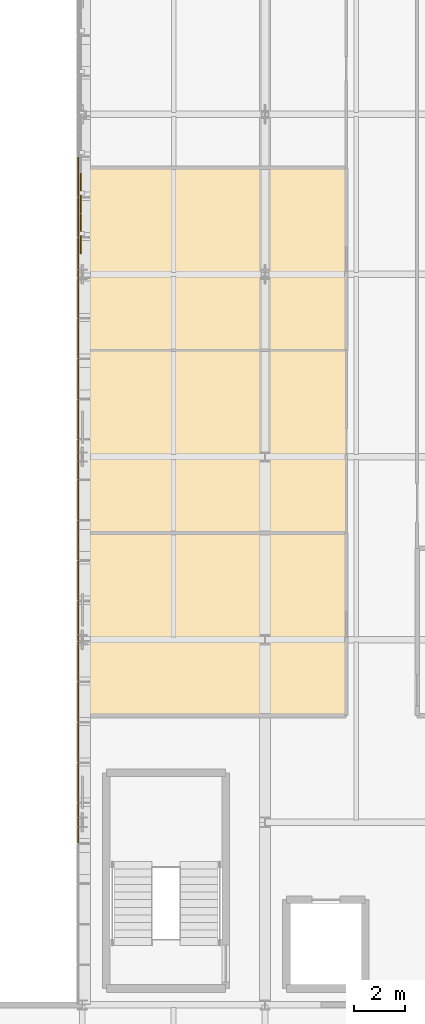
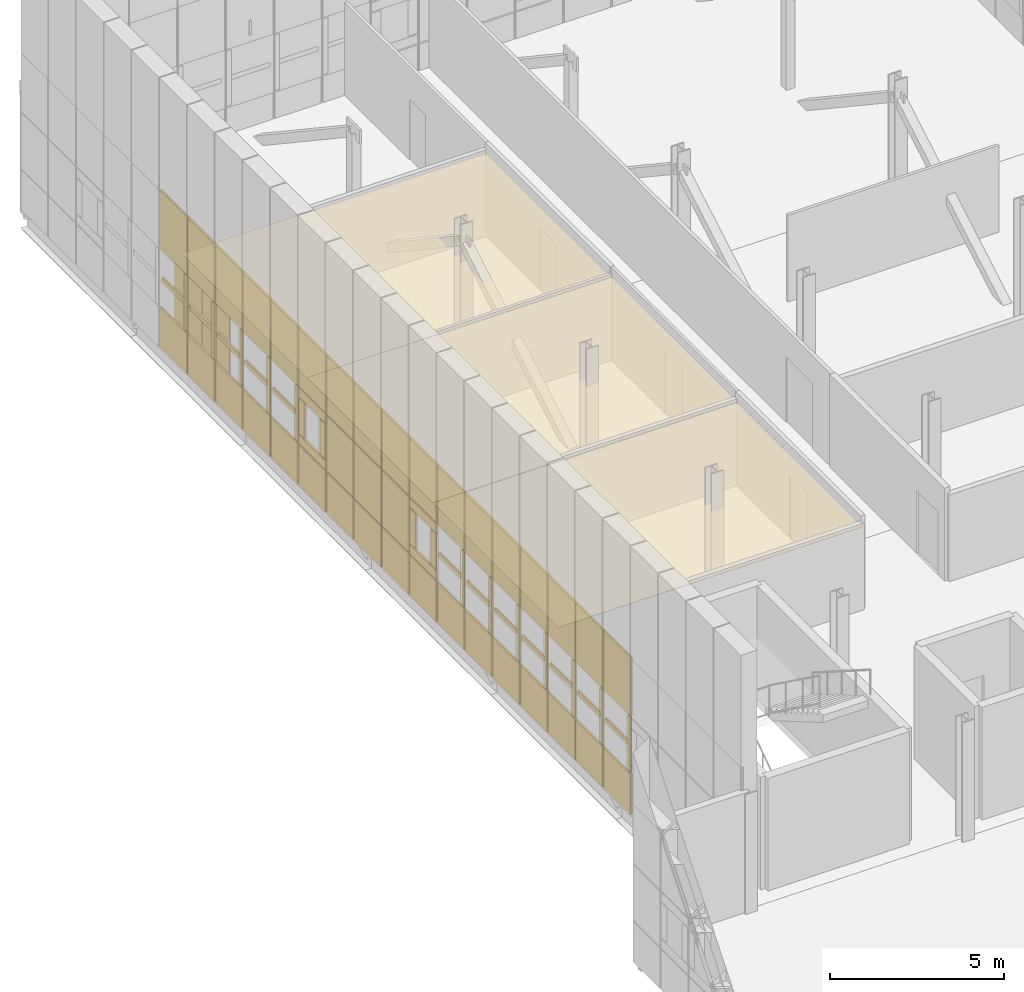
# One storey, part 135 of 144: 72 coverings, 2 shading devices.
"""IFC4 building model written with IfcOpenShell, lengths in metres."""

from ifc_helpers import new_model, si_unit, direction, frame, origin, origin_2d, place, context, subcontext, project, spatial, polyline, rectangle, outline, extrude, material, layer, layer_set, type_object, element, save


model = new_model("IFC4")

# Units and contexts
model_context = context("Model", 3, precision=1e-05, world=origin(), true_north=direction((0.0, 1.0)))
body_context = subcontext(model_context, "Body", "Model", "MODEL_VIEW")
ifc_project = project(units=[si_unit("LENGTHUNIT", "METRE"), si_unit("AREAUNIT", "SQUARE_METRE"), si_unit("VOLUMEUNIT", "CUBIC_METRE"), si_unit("PLANEANGLEUNIT", "RADIAN"), si_unit("MASSUNIT", "GRAM", prefix="KILO")], contexts=[model_context])

# Site, building, storey
site_placement = place(None, origin())
site = spatial("IfcSite", under=ifc_project, at=site_placement, CompositionType="ELEMENT")
building_placement = place(site_placement, origin())
building = spatial("IfcBuilding", under=site, at=building_placement, Name="Yarey Park Central Fire Station", CompositionType="ELEMENT")
storey_placement = place(building_placement, frame((0.0, 0.0, 10.199951171875)))
storey = spatial("IfcBuildingStorey", under=building, at=storey_placement, Name="L03", CompositionType="ELEMENT", Elevation=10.199951171875)

# Coverings
ifc_material_1 = material(Name="Perforated Powder-Coated Aluminium Cladding", Category="aluminium")
ifc_layer_1 = layer(ifc_material_1, 0.0419921875)
ifc_layer_set_1 = layer_set([ifc_layer_1], Name="Perforated Powder-Coated Aluminium Cladding")
covering_type_1 = type_object("IfcCoveringType", Name="ENV_COV_PERF_1", PredefinedType="CLADDING", material=ifc_layer_set_1)
covering_1_placement = place(storey_placement, frame((28.639892578125, 64.765380859375, -0.5048828125), z_axis=(0.0, 0.0, 1.0), x_axis=(0.0, 1.0, 0.0)))
element("IfcCovering", 1, at=covering_1_placement, inside=storey, type_object=covering_type_1, Name="PERF_L03_0627", PredefinedType="CLADDING", context=body_context, shape_type="SweptSolid", body=[
    extrude(rectangle(XDim=1.55224609375, YDim=0.0419921875, at=origin_2d()), origin(), (0.0, 0.0, 1.0), 1.43994140625),
])
covering_2_placement = place(storey_placement, frame((28.639892578125, 64.079345703125, 0.96484375), z_axis=(0.0, 0.0, 1.0), x_axis=(0.0, 1.0, 0.0)))
element("IfcCovering", 2, at=covering_2_placement, inside=storey, type_object=covering_type_1, Name="PERF_L03_0628", PredefinedType="CLADDING", context=body_context, shape_type="SweptSolid", body=[
    extrude(rectangle(XDim=0.159912109375, YDim=0.0419921875, at=origin_2d()), origin(), (0.0, 0.0, 1.0), 1.969970703125),
])
covering_3_placement = place(storey_placement, frame((28.639892578125, 64.765380859375, 1.8701171875), z_axis=(0.0, 0.0, 1.0), x_axis=(0.0, 1.0, 0.0)))
element("IfcCovering", 3, at=covering_3_placement, inside=storey, type_object=covering_type_1, Name="PERF_L03_0629", PredefinedType="CLADDING", context=body_context, shape_type="SweptSolid", body=[
    extrude(rectangle(XDim=1.352294921875, YDim=0.0419921875, at=origin_2d()), origin(), (0.0, 0.0, 1.0), 0.159912109375),
])
covering_4_placement = place(storey_placement, frame((28.639892578125, 64.765380859375, 2.96484375), z_axis=(0.0, 0.0, 1.0), x_axis=(0.0, 1.0, 0.0)))
element("IfcCovering", 4, at=covering_4_placement, inside=storey, type_object=covering_type_1, Name="PERF_L03_0630", PredefinedType="CLADDING", context=body_context, shape_type="SweptSolid", body=[
    extrude(rectangle(XDim=1.55224609375, YDim=0.0419921875, at=origin_2d()), origin(), (0.0, 0.0, 1.0), 2.070068359375),
])
covering_5_placement = place(storey_placement, frame((28.639892578125, 67.949951171875, -0.5048828125), z_axis=(0.0, 0.0, 1.0), x_axis=(0.0, 1.0, 0.0)))
element("IfcCovering", 5, at=covering_5_placement, inside=storey, type_object=covering_type_1, Name="PERF_L03_0641", PredefinedType="CLADDING", context=body_context, shape_type="SweptSolid", body=[
    extrude(rectangle(XDim=1.55224609375, YDim=0.0419921875, at=origin_2d()), origin(), (0.0, 0.0, 1.0), 1.43994140625),
])
covering_6_placement = place(storey_placement, frame((28.639892578125, 67.263916015625, 0.96484375), z_axis=(0.0, 0.0, 1.0), x_axis=(0.0, 1.0, 0.0)))
element("IfcCovering", 6, at=covering_6_placement, inside=storey, type_object=covering_type_1, Name="PERF_L03_0642", PredefinedType="CLADDING", context=body_context, shape_type="SweptSolid", body=[
    extrude(rectangle(XDim=0.159912109375, YDim=0.0419921875, at=origin_2d()), origin(), (0.0, 0.0, 1.0), 1.969970703125),
])
covering_7_placement = place(storey_placement, frame((28.639892578125, 67.949951171875, 1.8701171875), z_axis=(0.0, 0.0, 1.0), x_axis=(0.0, 1.0, 0.0)))
element("IfcCovering", 7, at=covering_7_placement, inside=storey, type_object=covering_type_1, Name="PERF_L03_0643", PredefinedType="CLADDING", context=body_context, shape_type="SweptSolid", body=[
    extrude(rectangle(XDim=1.352294921875, YDim=0.0419921875, at=origin_2d()), origin(), (0.0, 0.0, 1.0), 0.159912109375),
])
covering_8_placement = place(storey_placement, frame((28.639892578125, 67.949951171875, 2.96484375), z_axis=(0.0, 0.0, 1.0), x_axis=(0.0, 1.0, 0.0)))
element("IfcCovering", 8, at=covering_8_placement, inside=storey, type_object=covering_type_1, Name="PERF_L03_0644", PredefinedType="CLADDING", context=body_context, shape_type="SweptSolid", body=[
    extrude(rectangle(XDim=1.55224609375, YDim=0.0419921875, at=origin_2d()), origin(), (0.0, 0.0, 1.0), 2.070068359375),
])
covering_9_placement = place(storey_placement, frame((28.639892578125, 71.134521484375, -0.5048828125), z_axis=(0.0, 0.0, 1.0), x_axis=(0.0, 1.0, 0.0)))
element("IfcCovering", 9, at=covering_9_placement, inside=storey, type_object=covering_type_1, Name="PERF_L03_0655", PredefinedType="CLADDING", context=body_context, shape_type="SweptSolid", body=[
    extrude(rectangle(XDim=1.55224609375, YDim=0.0419921875, at=origin_2d()), origin(), (0.0, 0.0, 1.0), 1.43994140625),
])
covering_10_placement = place(storey_placement, frame((28.639892578125, 70.448486328125, 0.96484375), z_axis=(0.0, 0.0, 1.0), x_axis=(0.0, 1.0, 0.0)))
element("IfcCovering", 10, at=covering_10_placement, inside=storey, type_object=covering_type_1, Name="PERF_L03_0656", PredefinedType="CLADDING", context=body_context, shape_type="SweptSolid", body=[
    extrude(rectangle(XDim=0.159912109375, YDim=0.0419921875, at=origin_2d()), origin(), (0.0, 0.0, 1.0), 1.969970703125),
])
covering_11_placement = place(storey_placement, frame((28.639892578125, 71.134521484375, 1.8701171875), z_axis=(0.0, 0.0, 1.0), x_axis=(0.0, 1.0, 0.0)))
element("IfcCovering", 11, at=covering_11_placement, inside=storey, type_object=covering_type_1, Name="PERF_L03_0657", PredefinedType="CLADDING", context=body_context, shape_type="SweptSolid", body=[
    extrude(rectangle(XDim=1.352294921875, YDim=0.0419921875, at=origin_2d()), origin(), (0.0, 0.0, 1.0), 0.159912109375),
])
covering_12_placement = place(storey_placement, frame((28.639892578125, 71.134521484375, 2.96484375), z_axis=(0.0, 0.0, 1.0), x_axis=(0.0, 1.0, 0.0)))
element("IfcCovering", 12, at=covering_12_placement, inside=storey, type_object=covering_type_1, Name="PERF_L03_0658", PredefinedType="CLADDING", context=body_context, shape_type="SweptSolid", body=[
    extrude(rectangle(XDim=1.55224609375, YDim=0.0419921875, at=origin_2d()), origin(), (0.0, 0.0, 1.0), 2.070068359375),
])
covering_13_placement = place(storey_placement, frame((28.639892578125, 74.319091796875, -0.5048828125), z_axis=(0.0, 0.0, 1.0), x_axis=(0.0, 1.0, 0.0)))
element("IfcCovering", 13, at=covering_13_placement, inside=storey, type_object=covering_type_1, Name="PERF_L03_0669", PredefinedType="CLADDING", context=body_context, shape_type="SweptSolid", body=[
    extrude(rectangle(XDim=1.55224609375, YDim=0.0419921875, at=origin_2d()), origin(), (0.0, 0.0, 1.0), 1.43994140625),
])
covering_14_placement = place(storey_placement, frame((28.639892578125, 73.633056640625, 0.96484375), z_axis=(0.0, 0.0, 1.0), x_axis=(0.0, 1.0, 0.0)))
element("IfcCovering", 14, at=covering_14_placement, inside=storey, type_object=covering_type_1, Name="PERF_L03_0670", PredefinedType="CLADDING", context=body_context, shape_type="SweptSolid", body=[
    extrude(rectangle(XDim=0.159912109375, YDim=0.0419921875, at=origin_2d()), origin(), (0.0, 0.0, 1.0), 1.969970703125),
])
covering_15_placement = place(storey_placement, frame((28.639892578125, 74.319091796875, 1.8701171875), z_axis=(0.0, 0.0, 1.0), x_axis=(0.0, 1.0, 0.0)))
element("IfcCovering", 15, at=covering_15_placement, inside=storey, type_object=covering_type_1, Name="PERF_L03_0671", PredefinedType="CLADDING", context=body_context, shape_type="SweptSolid", body=[
    extrude(rectangle(XDim=1.352294921875, YDim=0.0419921875, at=origin_2d()), origin(), (0.0, 0.0, 1.0), 0.159912109375),
])
covering_16_placement = place(storey_placement, frame((28.639892578125, 74.319091796875, 2.96484375), z_axis=(0.0, 0.0, 1.0), x_axis=(0.0, 1.0, 0.0)))
element("IfcCovering", 16, at=covering_16_placement, inside=storey, type_object=covering_type_1, Name="PERF_L03_0672", PredefinedType="CLADDING", context=body_context, shape_type="SweptSolid", body=[
    extrude(rectangle(XDim=1.55224609375, YDim=0.0419921875, at=origin_2d()), origin(), (0.0, 0.0, 1.0), 2.070068359375),
])
covering_17_placement = place(storey_placement, frame((28.639892578125, 77.50390625, -0.5048828125), z_axis=(0.0, 0.0, 1.0), x_axis=(0.0, 1.0, 0.0)))
element("IfcCovering", 17, at=covering_17_placement, inside=storey, type_object=covering_type_1, Name="PERF_L03_0687", PredefinedType="CLADDING", context=body_context, shape_type="SweptSolid", body=[
    extrude(rectangle(XDim=1.55224609375, YDim=0.0419921875, at=origin_2d()), origin(), (0.0, 0.0, 1.0), 1.43994140625),
])
covering_18_placement = place(storey_placement, frame((28.639892578125, 77.50390625, 0.96484375), z_axis=(0.0, 0.0, 1.0), x_axis=(0.0, 1.0, 0.0)))
element("IfcCovering", 18, at=covering_18_placement, inside=storey, type_object=covering_type_1, Name="PERF_L03_0688", PredefinedType="CLADDING", context=body_context, shape_type="SweptSolid", body=[
    extrude(rectangle(XDim=1.55224609375, YDim=0.0419921875, at=origin_2d()), origin(), (0.0, 0.0, 1.0), 1.969970703125),
])
covering_19_placement = place(storey_placement, frame((28.639892578125, 77.50390625, 2.96484375), z_axis=(0.0, 0.0, 1.0), x_axis=(0.0, 1.0, 0.0)))
element("IfcCovering", 19, at=covering_19_placement, inside=storey, type_object=covering_type_1, Name="PERF_L03_0689", PredefinedType="CLADDING", context=body_context, shape_type="SweptSolid", body=[
    extrude(rectangle(XDim=1.55224609375, YDim=0.0419921875, at=origin_2d()), origin(), (0.0, 0.0, 1.0), 2.070068359375),
])
covering_20_placement = place(storey_placement, frame((28.639892578125, 80.6884765625, -0.5048828125), z_axis=(0.0, 0.0, 1.0), x_axis=(0.0, 1.0, 0.0)))
element("IfcCovering", 20, at=covering_20_placement, inside=storey, type_object=covering_type_1, Name="PERF_L03_0697", PredefinedType="CLADDING", context=body_context, shape_type="SweptSolid", body=[
    extrude(rectangle(XDim=1.55224609375, YDim=0.0419921875, at=origin_2d()), origin(), (0.0, 0.0, 1.0), 1.43994140625),
])
covering_21_placement = place(storey_placement, frame((28.639892578125, 80.6884765625, 0.96484375), z_axis=(0.0, 0.0, 1.0), x_axis=(0.0, 1.0, 0.0)))
element("IfcCovering", 21, at=covering_21_placement, inside=storey, type_object=covering_type_1, Name="PERF_L03_0698", PredefinedType="CLADDING", context=body_context, shape_type="SweptSolid", body=[
    extrude(rectangle(XDim=1.55224609375, YDim=0.0419921875, at=origin_2d()), origin(), (0.0, 0.0, 1.0), 1.969970703125),
])
covering_22_placement = place(storey_placement, frame((28.639892578125, 80.6884765625, 2.96484375), z_axis=(0.0, 0.0, 1.0), x_axis=(0.0, 1.0, 0.0)))
element("IfcCovering", 22, at=covering_22_placement, inside=storey, type_object=covering_type_1, Name="PERF_L03_0699", PredefinedType="CLADDING", context=body_context, shape_type="SweptSolid", body=[
    extrude(rectangle(XDim=1.55224609375, YDim=0.0419921875, at=origin_2d()), origin(), (0.0, 0.0, 1.0), 2.070068359375),
])
covering_23_placement = place(storey_placement, frame((28.639892578125, 83.873046875, -0.5048828125), z_axis=(0.0, 0.0, 1.0), x_axis=(0.0, 1.0, 0.0)))
element("IfcCovering", 23, at=covering_23_placement, inside=storey, type_object=covering_type_1, Name="PERF_L03_0713", PredefinedType="CLADDING", context=body_context, shape_type="SweptSolid", body=[
    extrude(rectangle(XDim=1.55224609375, YDim=0.0419921875, at=origin_2d()), origin(), (0.0, 0.0, 1.0), 1.43994140625),
])
covering_24_placement = place(storey_placement, frame((28.639892578125, 83.18701171875, 0.96484375), z_axis=(0.0, 0.0, 1.0), x_axis=(0.0, 1.0, 0.0)))
element("IfcCovering", 24, at=covering_24_placement, inside=storey, type_object=covering_type_1, Name="PERF_L03_0714", PredefinedType="CLADDING", context=body_context, shape_type="SweptSolid", body=[
    extrude(rectangle(XDim=0.159912109375, YDim=0.0419921875, at=origin_2d()), origin(), (0.0, 0.0, 1.0), 1.969970703125),
])
covering_25_placement = place(storey_placement, frame((28.639892578125, 83.873046875, 1.8701171875), z_axis=(0.0, 0.0, 1.0), x_axis=(0.0, 1.0, 0.0)))
element("IfcCovering", 25, at=covering_25_placement, inside=storey, type_object=covering_type_1, Name="PERF_L03_0715", PredefinedType="CLADDING", context=body_context, shape_type="SweptSolid", body=[
    extrude(rectangle(XDim=1.352294921875, YDim=0.0419921875, at=origin_2d()), origin(), (0.0, 0.0, 1.0), 0.159912109375),
])
covering_26_placement = place(storey_placement, frame((28.639892578125, 83.873046875, 2.96484375), z_axis=(0.0, 0.0, 1.0), x_axis=(0.0, 1.0, 0.0)))
element("IfcCovering", 26, at=covering_26_placement, inside=storey, type_object=covering_type_1, Name="PERF_L03_0716", PredefinedType="CLADDING", context=body_context, shape_type="SweptSolid", body=[
    extrude(rectangle(XDim=1.55224609375, YDim=0.0419921875, at=origin_2d()), origin(), (0.0, 0.0, 1.0), 2.070068359375),
])
covering_27_placement = place(storey_placement, frame((28.639892578125, 87.0576171875, -0.5048828125), z_axis=(0.0, 0.0, 1.0), x_axis=(0.0, 1.0, 0.0)))
element("IfcCovering", 27, at=covering_27_placement, inside=storey, type_object=covering_type_1, Name="PERF_L03_0727", PredefinedType="CLADDING", context=body_context, shape_type="SweptSolid", body=[
    extrude(rectangle(XDim=1.55224609375, YDim=0.0419921875, at=origin_2d()), origin(), (0.0, 0.0, 1.0), 1.43994140625),
])
covering_28_placement = place(storey_placement, frame((28.639892578125, 86.37158203125, 0.96484375), z_axis=(0.0, 0.0, 1.0), x_axis=(0.0, 1.0, 0.0)))
element("IfcCovering", 28, at=covering_28_placement, inside=storey, type_object=covering_type_1, Name="PERF_L03_0728", PredefinedType="CLADDING", context=body_context, shape_type="SweptSolid", body=[
    extrude(rectangle(XDim=0.159912109375, YDim=0.0419921875, at=origin_2d()), origin(), (0.0, 0.0, 1.0), 1.969970703125),
])
covering_29_placement = place(storey_placement, frame((28.639892578125, 87.0576171875, 1.8701171875), z_axis=(0.0, 0.0, 1.0), x_axis=(0.0, 1.0, 0.0)))
element("IfcCovering", 29, at=covering_29_placement, inside=storey, type_object=covering_type_1, Name="PERF_L03_0729", PredefinedType="CLADDING", context=body_context, shape_type="SweptSolid", body=[
    extrude(rectangle(XDim=1.352294921875, YDim=0.0419921875, at=origin_2d()), origin(), (0.0, 0.0, 1.0), 0.159912109375),
])
covering_30_placement = place(storey_placement, frame((28.639892578125, 87.0576171875, 2.96484375), z_axis=(0.0, 0.0, 1.0), x_axis=(0.0, 1.0, 0.0)))
element("IfcCovering", 30, at=covering_30_placement, inside=storey, type_object=covering_type_1, Name="PERF_L03_0730", PredefinedType="CLADDING", context=body_context, shape_type="SweptSolid", body=[
    extrude(rectangle(XDim=1.55224609375, YDim=0.0419921875, at=origin_2d()), origin(), (0.0, 0.0, 1.0), 2.070068359375),
])
covering_31_placement = place(storey_placement, frame((28.639892578125, 90.2421875, -0.5048828125), z_axis=(0.0, 0.0, 1.0), x_axis=(0.0, 1.0, 0.0)))
element("IfcCovering", 31, at=covering_31_placement, inside=storey, type_object=covering_type_1, Name="PERF_L03_0741", PredefinedType="CLADDING", context=body_context, shape_type="SweptSolid", body=[
    extrude(rectangle(XDim=1.55224609375, YDim=0.0419921875, at=origin_2d()), origin(), (0.0, 0.0, 1.0), 1.43994140625),
])
covering_32_placement = place(storey_placement, frame((28.639892578125, 89.55615234375, 0.96484375), z_axis=(0.0, 0.0, 1.0), x_axis=(0.0, 1.0, 0.0)))
element("IfcCovering", 32, at=covering_32_placement, inside=storey, type_object=covering_type_1, Name="PERF_L03_0742", PredefinedType="CLADDING", context=body_context, shape_type="SweptSolid", body=[
    extrude(rectangle(XDim=0.159912109375, YDim=0.0419921875, at=origin_2d()), origin(), (0.0, 0.0, 1.0), 1.969970703125),
])
covering_33_placement = place(storey_placement, frame((28.639892578125, 90.2421875, 1.8701171875), z_axis=(0.0, 0.0, 1.0), x_axis=(0.0, 1.0, 0.0)))
element("IfcCovering", 33, at=covering_33_placement, inside=storey, type_object=covering_type_1, Name="PERF_L03_0743", PredefinedType="CLADDING", context=body_context, shape_type="SweptSolid", body=[
    extrude(rectangle(XDim=1.352294921875, YDim=0.0419921875, at=origin_2d()), origin(), (0.0, 0.0, 1.0), 0.159912109375),
])
covering_34_placement = place(storey_placement, frame((28.639892578125, 90.2421875, 2.96484375), z_axis=(0.0, 0.0, 1.0), x_axis=(0.0, 1.0, 0.0)))
element("IfcCovering", 34, at=covering_34_placement, inside=storey, type_object=covering_type_1, Name="PERF_L03_0744", PredefinedType="CLADDING", context=body_context, shape_type="SweptSolid", body=[
    extrude(rectangle(XDim=1.55224609375, YDim=0.0419921875, at=origin_2d()), origin(), (0.0, 0.0, 1.0), 2.070068359375),
])
ifc_layer_2 = layer(ifc_material_1, 0.053955078125)
ifc_layer_set_2 = layer_set([ifc_layer_2], Name="Perforated Powder-Coated Aluminium Cladding")
covering_type_2 = type_object("IfcCoveringType", Name="ENV_COV_PERF_2", PredefinedType="CLADDING", material=ifc_layer_set_2)
covering_35_placement = place(storey_placement, frame((28.639892578125, 66.357666015625, -0.5048828125), z_axis=(0.0, 0.0, 1.0), x_axis=(0.0, 1.0, 0.0)))
element("IfcCovering", 35, at=covering_35_placement, inside=storey, type_object=covering_type_2, Name="PERF_L03_0634", PredefinedType="CLADDING", context=body_context, shape_type="SweptSolid", body=[
    extrude(rectangle(XDim=1.55224609375, YDim=0.053955078125, at=origin_2d()), origin(), (0.0, 0.0, 1.0), 1.43994140625),
])
covering_36_placement = place(storey_placement, frame((28.639892578125, 65.67138671875, 0.96484375), z_axis=(0.0, 0.0, 1.0), x_axis=(0.0, 1.0, 0.0)))
element("IfcCovering", 36, at=covering_36_placement, inside=storey, type_object=covering_type_2, Name="PERF_L03_0635", PredefinedType="CLADDING", context=body_context, shape_type="SweptSolid", body=[
    extrude(rectangle(XDim=0.159912109375, YDim=0.053955078125, at=origin_2d()), origin(), (0.0, 0.0, 1.0), 1.969970703125),
])
covering_37_placement = place(storey_placement, frame((28.639892578125, 66.357666015625, 1.8701171875), z_axis=(0.0, 0.0, 1.0), x_axis=(0.0, 1.0, 0.0)))
element("IfcCovering", 37, at=covering_37_placement, inside=storey, type_object=covering_type_2, Name="PERF_L03_0636", PredefinedType="CLADDING", context=body_context, shape_type="SweptSolid", body=[
    extrude(rectangle(XDim=1.352294921875, YDim=0.053955078125, at=origin_2d()), origin(), (0.0, 0.0, 1.0), 0.159912109375),
])
covering_38_placement = place(storey_placement, frame((28.639892578125, 66.357666015625, 2.96484375), z_axis=(0.0, 0.0, 1.0), x_axis=(0.0, 1.0, 0.0)))
element("IfcCovering", 38, at=covering_38_placement, inside=storey, type_object=covering_type_2, Name="PERF_L03_0637", PredefinedType="CLADDING", context=body_context, shape_type="SweptSolid", body=[
    extrude(rectangle(XDim=1.55224609375, YDim=0.053955078125, at=origin_2d()), origin(), (0.0, 0.0, 1.0), 2.070068359375),
])
covering_39_placement = place(storey_placement, frame((28.639892578125, 69.542236328125, -0.5048828125), z_axis=(0.0, 0.0, 1.0), x_axis=(0.0, 1.0, 0.0)))
element("IfcCovering", 39, at=covering_39_placement, inside=storey, type_object=covering_type_2, Name="PERF_L03_0648", PredefinedType="CLADDING", context=body_context, shape_type="SweptSolid", body=[
    extrude(rectangle(XDim=1.55224609375, YDim=0.053955078125, at=origin_2d()), origin(), (0.0, 0.0, 1.0), 1.43994140625),
])
covering_40_placement = place(storey_placement, frame((28.639892578125, 68.856201171875, 0.96484375), z_axis=(0.0, 0.0, 1.0), x_axis=(0.0, 1.0, 0.0)))
element("IfcCovering", 40, at=covering_40_placement, inside=storey, type_object=covering_type_2, Name="PERF_L03_0649", PredefinedType="CLADDING", context=body_context, shape_type="SweptSolid", body=[
    extrude(rectangle(XDim=0.159912109375, YDim=0.053955078125, at=origin_2d()), origin(), (0.0, 0.0, 1.0), 1.969970703125),
])
covering_41_placement = place(storey_placement, frame((28.639892578125, 69.542236328125, 1.8701171875), z_axis=(0.0, 0.0, 1.0), x_axis=(0.0, 1.0, 0.0)))
element("IfcCovering", 41, at=covering_41_placement, inside=storey, type_object=covering_type_2, Name="PERF_L03_0650", PredefinedType="CLADDING", context=body_context, shape_type="SweptSolid", body=[
    extrude(rectangle(XDim=1.352294921875, YDim=0.053955078125, at=origin_2d()), origin(), (0.0, 0.0, 1.0), 0.159912109375),
])
covering_42_placement = place(storey_placement, frame((28.639892578125, 69.542236328125, 2.96484375), z_axis=(0.0, 0.0, 1.0), x_axis=(0.0, 1.0, 0.0)))
element("IfcCovering", 42, at=covering_42_placement, inside=storey, type_object=covering_type_2, Name="PERF_L03_0651", PredefinedType="CLADDING", context=body_context, shape_type="SweptSolid", body=[
    extrude(rectangle(XDim=1.55224609375, YDim=0.053955078125, at=origin_2d()), origin(), (0.0, 0.0, 1.0), 2.070068359375),
])
covering_43_placement = place(storey_placement, frame((28.639892578125, 72.726806640625, -0.5048828125), z_axis=(0.0, 0.0, 1.0), x_axis=(0.0, 1.0, 0.0)))
element("IfcCovering", 43, at=covering_43_placement, inside=storey, type_object=covering_type_2, Name="PERF_L03_0662", PredefinedType="CLADDING", context=body_context, shape_type="SweptSolid", body=[
    extrude(rectangle(XDim=1.55224609375, YDim=0.053955078125, at=origin_2d()), origin(), (0.0, 0.0, 1.0), 1.43994140625),
])
covering_44_placement = place(storey_placement, frame((28.639892578125, 72.040771484375, 0.96484375), z_axis=(0.0, 0.0, 1.0), x_axis=(0.0, 1.0, 0.0)))
element("IfcCovering", 44, at=covering_44_placement, inside=storey, type_object=covering_type_2, Name="PERF_L03_0663", PredefinedType="CLADDING", context=body_context, shape_type="SweptSolid", body=[
    extrude(rectangle(XDim=0.159912109375, YDim=0.053955078125, at=origin_2d()), origin(), (0.0, 0.0, 1.0), 1.969970703125),
])
covering_45_placement = place(storey_placement, frame((28.639892578125, 72.726806640625, 1.8701171875), z_axis=(0.0, 0.0, 1.0), x_axis=(0.0, 1.0, 0.0)))
element("IfcCovering", 45, at=covering_45_placement, inside=storey, type_object=covering_type_2, Name="PERF_L03_0664", PredefinedType="CLADDING", context=body_context, shape_type="SweptSolid", body=[
    extrude(rectangle(XDim=1.352294921875, YDim=0.053955078125, at=origin_2d()), origin(), (0.0, 0.0, 1.0), 0.159912109375),
])
covering_46_placement = place(storey_placement, frame((28.639892578125, 72.726806640625, 2.96484375), z_axis=(0.0, 0.0, 1.0), x_axis=(0.0, 1.0, 0.0)))
element("IfcCovering", 46, at=covering_46_placement, inside=storey, type_object=covering_type_2, Name="PERF_L03_0665", PredefinedType="CLADDING", context=body_context, shape_type="SweptSolid", body=[
    extrude(rectangle(XDim=1.55224609375, YDim=0.053955078125, at=origin_2d()), origin(), (0.0, 0.0, 1.0), 2.070068359375),
])
covering_47_placement = place(storey_placement, frame((28.639892578125, 75.91162109375, -0.5048828125), z_axis=(0.0, 0.0, 1.0), x_axis=(0.0, 1.0, 0.0)))
element("IfcCovering", 47, at=covering_47_placement, inside=storey, type_object=covering_type_2, Name="PERF_L03_0676", PredefinedType="CLADDING", context=body_context, shape_type="SweptSolid", body=[
    extrude(rectangle(XDim=1.55224609375, YDim=0.053955078125, at=origin_2d()), origin(), (0.0, 0.0, 1.0), 1.43994140625),
])
for number, where, z_axis, x_axis, name in (
    (48, (28.639892578125, 75.91162109375, 0.9599609375), (0.0, 0.0, 1.0), (0.0, 1.0, 0.0), "PERF_L03_0677"),
    (49, (28.639892578125, 75.91162109375, 2.60009765625), (0.0, 0.0, 1.0), (0.0, 1.0, 0.0), "PERF_L03_0678"),
):
    element("IfcCovering", number, at=place(storey_placement, frame(where, z_axis=z_axis, x_axis=x_axis)), inside=storey, type_object=covering_type_2, Name=name, PredefinedType="CLADDING", context=body_context, shape_type="SweptSolid", body=[
        extrude(rectangle(XDim=1.55224609375, YDim=0.053955078125, at=origin_2d()), origin(), (0.0, 0.0, 1.0), 0.340087890625),
    ])
for number, where, z_axis, x_axis, name in (
    (50, (28.639892578125, 75.3154296875, 1.324951171875), (0.0, 0.0, 1.0), (0.0, 1.0, 0.0), "PERF_L03_0679"),
    (51, (28.639892578125, 76.507568359375, 1.324951171875), (0.0, 0.0, 1.0), (0.0, 1.0, 0.0), "PERF_L03_0680"),
):
    element("IfcCovering", number, at=place(storey_placement, frame(where, z_axis=z_axis, x_axis=x_axis)), inside=storey, type_object=covering_type_2, Name=name, PredefinedType="CLADDING", context=body_context, shape_type="SweptSolid", body=[
        extrude(rectangle(XDim=0.340087890625, YDim=0.053955078125, at=origin_2d()), origin(), (0.0, 0.0, 1.0), 1.25),
    ])
covering_48_placement = place(storey_placement, frame((28.639892578125, 75.91162109375, 2.96484375), z_axis=(0.0, 0.0, 1.0), x_axis=(0.0, 1.0, 0.0)))
element("IfcCovering", 52, at=covering_48_placement, inside=storey, type_object=covering_type_2, Name="PERF_L03_0681", PredefinedType="CLADDING", context=body_context, shape_type="SweptSolid", body=[
    extrude(rectangle(XDim=1.55224609375, YDim=0.053955078125, at=origin_2d()), origin(), (0.0, 0.0, 1.0), 2.070068359375),
])
covering_49_placement = place(storey_placement, frame((28.639892578125, 79.09619140625, -0.5048828125), z_axis=(0.0, 0.0, 1.0), x_axis=(0.0, 1.0, 0.0)))
element("IfcCovering", 53, at=covering_49_placement, inside=storey, type_object=covering_type_2, Name="PERF_L03_0692", PredefinedType="CLADDING", context=body_context, shape_type="SweptSolid", body=[
    extrude(rectangle(XDim=1.55224609375, YDim=0.053955078125, at=origin_2d()), origin(), (0.0, 0.0, 1.0), 1.43994140625),
])
covering_50_placement = place(storey_placement, frame((28.639892578125, 79.09619140625, 0.96484375), z_axis=(0.0, 0.0, 1.0), x_axis=(0.0, 1.0, 0.0)))
element("IfcCovering", 54, at=covering_50_placement, inside=storey, type_object=covering_type_2, Name="PERF_L03_0693", PredefinedType="CLADDING", context=body_context, shape_type="SweptSolid", body=[
    extrude(rectangle(XDim=1.55224609375, YDim=0.053955078125, at=origin_2d()), origin(), (0.0, 0.0, 1.0), 1.969970703125),
])
covering_51_placement = place(storey_placement, frame((28.639892578125, 79.09619140625, 2.96484375), z_axis=(0.0, 0.0, 1.0), x_axis=(0.0, 1.0, 0.0)))
element("IfcCovering", 55, at=covering_51_placement, inside=storey, type_object=covering_type_2, Name="PERF_L03_0694", PredefinedType="CLADDING", context=body_context, shape_type="SweptSolid", body=[
    extrude(rectangle(XDim=1.55224609375, YDim=0.053955078125, at=origin_2d()), origin(), (0.0, 0.0, 1.0), 2.070068359375),
])
covering_52_placement = place(storey_placement, frame((28.639892578125, 82.28076171875, -0.5048828125), z_axis=(0.0, 0.0, 1.0), x_axis=(0.0, 1.0, 0.0)))
element("IfcCovering", 56, at=covering_52_placement, inside=storey, type_object=covering_type_2, Name="PERF_L03_0702", PredefinedType="CLADDING", context=body_context, shape_type="SweptSolid", body=[
    extrude(rectangle(XDim=1.55224609375, YDim=0.053955078125, at=origin_2d()), origin(), (0.0, 0.0, 1.0), 1.43994140625),
])
for number, where, z_axis, x_axis, name in (
    (57, (28.639892578125, 82.28076171875, 0.9599609375), (0.0, 0.0, 1.0), (0.0, 1.0, 0.0), "PERF_L03_0703"),
    (58, (28.639892578125, 82.28076171875, 2.60009765625), (0.0, 0.0, 1.0), (0.0, 1.0, 0.0), "PERF_L03_0704"),
):
    element("IfcCovering", number, at=place(storey_placement, frame(where, z_axis=z_axis, x_axis=x_axis)), inside=storey, type_object=covering_type_2, Name=name, PredefinedType="CLADDING", context=body_context, shape_type="SweptSolid", body=[
        extrude(rectangle(XDim=1.55224609375, YDim=0.053955078125, at=origin_2d()), origin(), (0.0, 0.0, 1.0), 0.340087890625),
    ])
for number, where, z_axis, x_axis, name in (
    (59, (28.639892578125, 81.684814453125, 1.324951171875), (0.0, 0.0, 1.0), (0.0, 1.0, 0.0), "PERF_L03_0705"),
    (60, (28.639892578125, 82.876953125, 1.324951171875), (0.0, 0.0, 1.0), (0.0, 1.0, 0.0), "PERF_L03_0706"),
):
    element("IfcCovering", number, at=place(storey_placement, frame(where, z_axis=z_axis, x_axis=x_axis)), inside=storey, type_object=covering_type_2, Name=name, PredefinedType="CLADDING", context=body_context, shape_type="SweptSolid", body=[
        extrude(rectangle(XDim=0.340087890625, YDim=0.053955078125, at=origin_2d()), origin(), (0.0, 0.0, 1.0), 1.25),
    ])
covering_53_placement = place(storey_placement, frame((28.639892578125, 82.28076171875, 2.96484375), z_axis=(0.0, 0.0, 1.0), x_axis=(0.0, 1.0, 0.0)))
element("IfcCovering", 61, at=covering_53_placement, inside=storey, type_object=covering_type_2, Name="PERF_L03_0707", PredefinedType="CLADDING", context=body_context, shape_type="SweptSolid", body=[
    extrude(rectangle(XDim=1.55224609375, YDim=0.053955078125, at=origin_2d()), origin(), (0.0, 0.0, 1.0), 2.070068359375),
])
covering_54_placement = place(storey_placement, frame((28.639892578125, 85.46533203125, -0.5048828125), z_axis=(0.0, 0.0, 1.0), x_axis=(0.0, 1.0, 0.0)))
element("IfcCovering", 62, at=covering_54_placement, inside=storey, type_object=covering_type_2, Name="PERF_L03_0720", PredefinedType="CLADDING", context=body_context, shape_type="SweptSolid", body=[
    extrude(rectangle(XDim=1.55224609375, YDim=0.053955078125, at=origin_2d()), origin(), (0.0, 0.0, 1.0), 1.43994140625),
])
covering_55_placement = place(storey_placement, frame((28.639892578125, 84.779296875, 0.96484375), z_axis=(0.0, 0.0, 1.0), x_axis=(0.0, 1.0, 0.0)))
element("IfcCovering", 63, at=covering_55_placement, inside=storey, type_object=covering_type_2, Name="PERF_L03_0721", PredefinedType="CLADDING", context=body_context, shape_type="SweptSolid", body=[
    extrude(rectangle(XDim=0.159912109375, YDim=0.053955078125, at=origin_2d()), origin(), (0.0, 0.0, 1.0), 1.969970703125),
])
covering_56_placement = place(storey_placement, frame((28.639892578125, 85.46533203125, 1.8701171875), z_axis=(0.0, 0.0, 1.0), x_axis=(0.0, 1.0, 0.0)))
element("IfcCovering", 64, at=covering_56_placement, inside=storey, type_object=covering_type_2, Name="PERF_L03_0722", PredefinedType="CLADDING", context=body_context, shape_type="SweptSolid", body=[
    extrude(rectangle(XDim=1.352294921875, YDim=0.053955078125, at=origin_2d()), origin(), (0.0, 0.0, 1.0), 0.159912109375),
])
covering_57_placement = place(storey_placement, frame((28.639892578125, 85.46533203125, 2.96484375), z_axis=(0.0, 0.0, 1.0), x_axis=(0.0, 1.0, 0.0)))
element("IfcCovering", 65, at=covering_57_placement, inside=storey, type_object=covering_type_2, Name="PERF_L03_0723", PredefinedType="CLADDING", context=body_context, shape_type="SweptSolid", body=[
    extrude(rectangle(XDim=1.55224609375, YDim=0.053955078125, at=origin_2d()), origin(), (0.0, 0.0, 1.0), 2.070068359375),
])
covering_58_placement = place(storey_placement, frame((28.639892578125, 88.64990234375, -0.5048828125), z_axis=(0.0, 0.0, 1.0), x_axis=(0.0, 1.0, 0.0)))
element("IfcCovering", 66, at=covering_58_placement, inside=storey, type_object=covering_type_2, Name="PERF_L03_0734", PredefinedType="CLADDING", context=body_context, shape_type="SweptSolid", body=[
    extrude(rectangle(XDim=1.55224609375, YDim=0.053955078125, at=origin_2d()), origin(), (0.0, 0.0, 1.0), 1.43994140625),
])
covering_59_placement = place(storey_placement, frame((28.639892578125, 87.9638671875, 0.96484375), z_axis=(0.0, 0.0, 1.0), x_axis=(0.0, 1.0, 0.0)))
element("IfcCovering", 67, at=covering_59_placement, inside=storey, type_object=covering_type_2, Name="PERF_L03_0735", PredefinedType="CLADDING", context=body_context, shape_type="SweptSolid", body=[
    extrude(rectangle(XDim=0.159912109375, YDim=0.053955078125, at=origin_2d()), origin(), (0.0, 0.0, 1.0), 1.969970703125),
])
covering_60_placement = place(storey_placement, frame((28.639892578125, 88.64990234375, 1.8701171875), z_axis=(0.0, 0.0, 1.0), x_axis=(0.0, 1.0, 0.0)))
element("IfcCovering", 68, at=covering_60_placement, inside=storey, type_object=covering_type_2, Name="PERF_L03_0736", PredefinedType="CLADDING", context=body_context, shape_type="SweptSolid", body=[
    extrude(rectangle(XDim=1.352294921875, YDim=0.053955078125, at=origin_2d()), origin(), (0.0, 0.0, 1.0), 0.159912109375),
])
covering_61_placement = place(storey_placement, frame((28.639892578125, 88.64990234375, 2.96484375), z_axis=(0.0, 0.0, 1.0), x_axis=(0.0, 1.0, 0.0)))
element("IfcCovering", 69, at=covering_61_placement, inside=storey, type_object=covering_type_2, Name="PERF_L03_0737", PredefinedType="CLADDING", context=body_context, shape_type="SweptSolid", body=[
    extrude(rectangle(XDim=1.55224609375, YDim=0.053955078125, at=origin_2d()), origin(), (0.0, 0.0, 1.0), 2.070068359375),
])

# Shading devices
ifc_material_2 = material(Name="Perforated Powder-Coated Aluminium Screen", Category="aluminium")
ifc_layer_3 = layer(ifc_material_2, 0.0400390625)
ifc_layer_set_3 = layer_set([ifc_layer_3], Name="Perforated Powder-Coated Aluminium Screen")
shading_device_type = type_object("IfcShadingDeviceType", Name="ENV_SHD_SCR_1", PredefinedType="USERDEFINED", material=ifc_layer_set_3)
for number, where, z_axis, x_axis, name in (
    (70, (28.739990234375, 88.0, 0.0), (0.0, 0.0, 1.0), (0.0, 1.0, 0.0), "SCR_L03_SIDE_017"),
    (71, (28.739990234375, 89.60009765625, 0.0), (0.0, 0.0, 1.0), (0.0, 1.0, 0.0), "SCR_L03_SIDE_019"),
):
    element("IfcShadingDevice", number, at=place(storey_placement, frame(where, z_axis=z_axis, x_axis=x_axis)), inside=storey, type_object=shading_device_type, Name=name, ObjectType="SCREEN", PredefinedType="USERDEFINED", context=body_context, shape_type="SweptSolid", body=[
        extrude(rectangle(XDim=1.56005859375, YDim=0.0400390625, at=origin_2d()), origin(), (0.0, 0.0, 1.0), 3.39990234375),
    ])

# Coverings
ifc_material_3 = material(Name="Acoustic Mineral Fibre Tile", Category="finish")
ifc_layer_4 = layer(ifc_material_3, 0.02001953125)
ifc_layer_set_4 = layer_set([ifc_layer_4], Name="Acoustic Mineral Fibre Tile")
covering_type_3 = type_object("IfcCoveringType", Name="INT_CEIL_ACT_1", PredefinedType="CEILING", material=ifc_layer_set_4)
covering_62_placement = place(storey_placement, frame((0.0, 0.0, 2.85009765625)))
element("IfcCovering", 72, at=covering_62_placement, inside=storey, type_object=covering_type_3, Name="CEIL_SPC_L03_DORM_W1", PredefinedType="CEILING", context=body_context, shape_type="SweptSolid", body=[
    extrude(outline(polyline([(29.090087890625, 68.989990234375), (39.2099609375, 68.989990234375), (39.2099609375, 76.2099609375), (29.090087890625, 76.2099609375), (29.090087890625, 68.989990234375)])), origin(), (0.0, 0.0, 1.0), 0.02001953125),
])
covering_63_placement = place(storey_placement, frame((0.0, 0.0, 2.85009765625)))
element("IfcCovering", 73, at=covering_63_placement, inside=storey, type_object=covering_type_3, Name="CEIL_SPC_L03_DORM_W3", PredefinedType="CEILING", context=body_context, shape_type="SweptSolid", body=[
    extrude(outline(polyline([(29.090087890625, 83.389892578125), (39.2099609375, 83.389892578125), (39.2099609375, 90.610107421875), (29.090087890625, 90.610107421875), (29.090087890625, 83.389892578125)])), origin(), (0.0, 0.0, 1.0), 0.02001953125),
])
ifc_layer_5 = layer(ifc_material_3, 0.031982421875)
ifc_layer_set_5 = layer_set([ifc_layer_5], Name="Acoustic Mineral Fibre Tile")
covering_type_4 = type_object("IfcCoveringType", Name="INT_CEIL_ACT_2", PredefinedType="CEILING", material=ifc_layer_set_5)
covering_64_placement = place(storey_placement, frame((0.0, 0.0, 2.85009765625)))
element("IfcCovering", 74, at=covering_64_placement, inside=storey, type_object=covering_type_4, Name="CEIL_SPC_L03_DORM_W2", PredefinedType="CEILING", context=body_context, shape_type="SweptSolid", body=[
    extrude(outline(polyline([(29.090087890625, 76.18994140625), (39.2099609375, 76.18994140625), (39.2099609375, 83.409912109375), (29.090087890625, 83.409912109375), (29.090087890625, 76.18994140625)])), origin(), (0.0, 0.0, 1.0), 0.031982421875),
])

save(model, "model.ifc")
